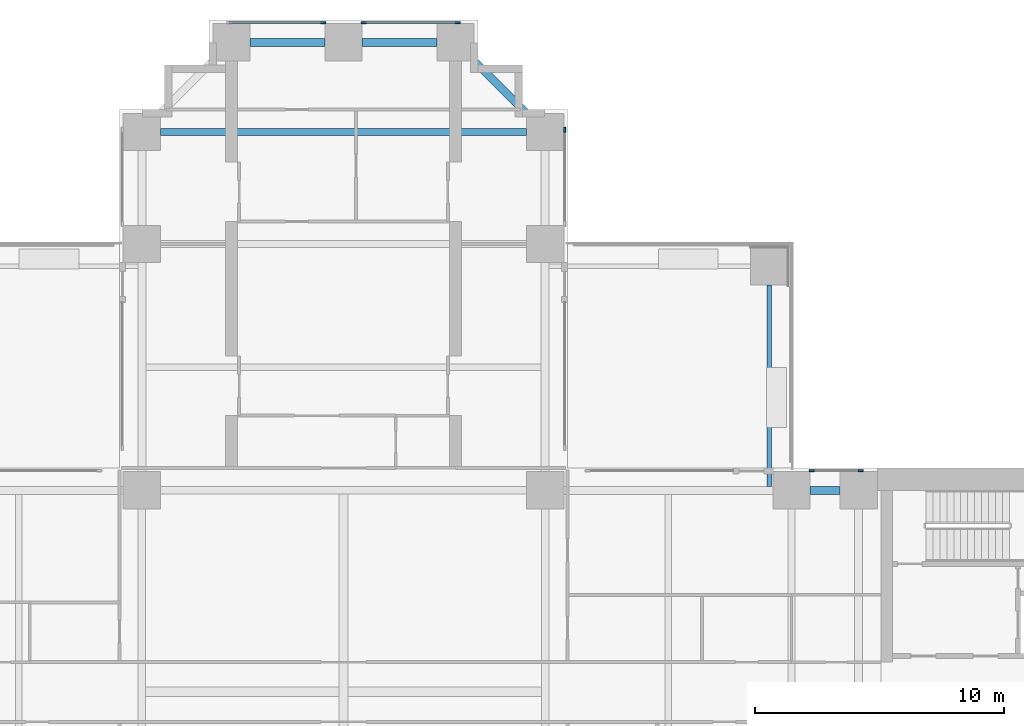
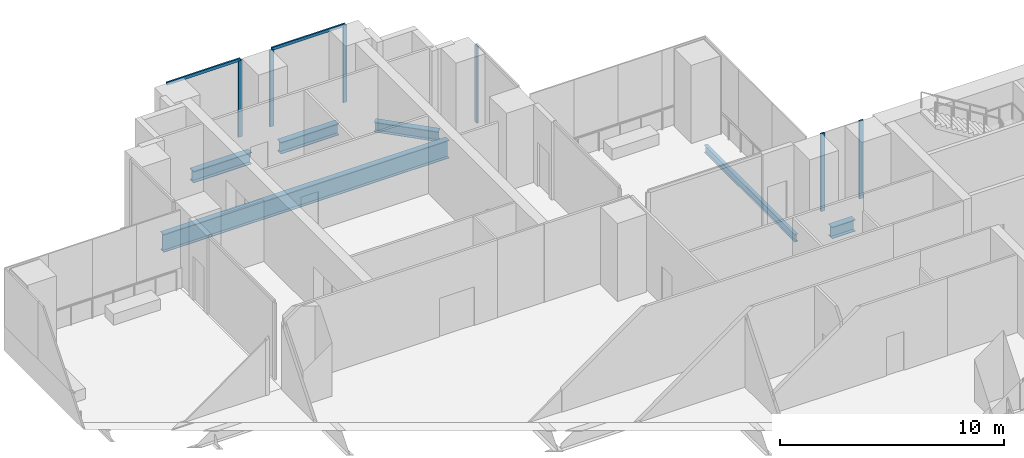
# One storey, part 5 of 15: 8 members, 6 beams, 4 elements without a shape of their own.
"""IFC4 building model written with IfcOpenShell, lengths in metres."""

from ifc_helpers import new_model, si_unit, direction, frame, origin, origin_2d, place, context, subcontext, project, spatial, rectangle, i_section, extrude, material, material_profile, profile_set, type_object, element, aggregate, save


model = new_model("IFC4")

# Units and contexts
model_context = context("Model", 3, precision=1e-05, world=origin(), true_north=direction((0.0, 1.0)))
body_context = subcontext(model_context, "Body", "Model", "MODEL_VIEW")
ifc_project = project(units=[si_unit("LENGTHUNIT", "METRE"), si_unit("AREAUNIT", "SQUARE_METRE"), si_unit("VOLUMEUNIT", "CUBIC_METRE"), si_unit("PLANEANGLEUNIT", "RADIAN"), si_unit("MASSUNIT", "GRAM", prefix="KILO")], contexts=[model_context])

# Site, building, storey
site_placement = place(None, origin())
site = spatial("IfcSite", under=ifc_project, at=site_placement, CompositionType="ELEMENT")
building_placement = place(site_placement, origin())
building = spatial("IfcBuilding", under=site, at=building_placement, Name="Perihelion Cross Residences", CompositionType="ELEMENT")
storey_placement = place(building_placement, frame((0.0, 0.0, 32.0)))
storey = spatial("IfcBuildingStorey", under=building, at=storey_placement, Name="L04", CompositionType="ELEMENT", Elevation=32.0)

# Curtain wall, members
ifc_material_1 = material(Name="Bronze anodised aluminium, tinted glazing", Category="aluminium")
curtain_wall_type = type_object("IfcCurtainWallType", Name="CW2", PredefinedType="NOTDEFINED", material=ifc_material_1)
curtain_wall_1_placement = place(storey_placement, origin())
curtain_wall_1 = element("IfcCurtainWall", 1, at=curtain_wall_1_placement, inside=storey, type_object=curtain_wall_type, Name="Curtain wall CW2 L04 east side north bay 1", PredefinedType="NOTDEFINED")
ifc_material_2 = material(Name="Bronze anodised aluminium", Category="aluminium")
ifc_material_profile_1 = material_profile(ifc_material_2, rectangle(XDim=0.080078125, YDim=0.199951171875, at=origin_2d()), Name="CW2 mullion")
ifc_profile_set_1 = profile_set([ifc_material_profile_1], Name="Bronze anodised aluminium")
member_type_1 = type_object("IfcMemberType", Name="CW2 mullion", PredefinedType="MULLION", material=ifc_profile_set_1)
member_1_placement = place(storey_placement, frame((20.7900390625, 8.889892578125, 0.0), z_axis=(0.0, 0.0, 1.0), x_axis=(0.0, -1.0, 0.0)))
member_1 = element("IfcMember", 2, at=member_1_placement, type_object=member_type_1, Name="CW2 mullion 1", PredefinedType="MULLION", context=body_context, shape_type="SweptSolid", body=[
    extrude(rectangle(XDim=0.080078125, YDim=0.199951171875, at=origin_2d()), origin(), (0.0, 0.0, 1.0), 4.25),
])
member_2_placement = place(storey_placement, frame((18.81005859375, 8.889892578125, 0.0), z_axis=(0.0, 0.0, 1.0), x_axis=(0.0, -1.0, 0.0)))
member_2 = element("IfcMember", 3, at=member_2_placement, type_object=member_type_1, Name="CW2 mullion 2", PredefinedType="MULLION", context=body_context, shape_type="SweptSolid", body=[
    extrude(rectangle(XDim=0.080078125, YDim=0.199951171875, at=origin_2d()), origin(), (0.0, 0.0, 1.0), 4.25),
])
aggregate(curtain_wall_1, [member_1, member_2])

# Curtain wall, member
curtain_wall_2_placement = place(storey_placement, origin())
curtain_wall_2 = element("IfcCurtainWall", 4, at=curtain_wall_2_placement, inside=storey, type_object=curtain_wall_type, Name="Curtain wall CW2 L04 north side east bay 2", PredefinedType="NOTDEFINED")
member_3_placement = place(storey_placement, frame((8.889892578125, 22.590087890625, 0.0), z_axis=(0.0, 0.0, 1.0), x_axis=(-1.0, 0.0, 0.0)))
member_3 = element("IfcMember", 5, at=member_3_placement, type_object=member_type_1, Name="CW2 mullion 2", PredefinedType="MULLION", context=body_context, shape_type="SweptSolid", body=[
    extrude(rectangle(XDim=0.080078125, YDim=0.199951171875, at=origin_2d()), origin(), (0.0, 0.0, 1.0), 4.169921875),
])
aggregate(curtain_wall_2, [member_3])

# Curtain wall, members
curtain_wall_3_placement = place(storey_placement, origin())
curtain_wall_3 = element("IfcCurtainWall", 6, at=curtain_wall_3_placement, inside=storey, type_object=curtain_wall_type, Name="Curtain wall CW2 L04 north tip north bay 1", PredefinedType="NOTDEFINED")
member_4_placement = place(storey_placement, frame((4.590087890625, 26.889892578125, 0.0), z_axis=(0.0, 0.0, 1.0), x_axis=(0.0, -1.0, 0.0)))
member_4 = element("IfcMember", 7, at=member_4_placement, type_object=member_type_1, Name="CW2 mullion 1", PredefinedType="MULLION", context=body_context, shape_type="SweptSolid", body=[
    extrude(rectangle(XDim=0.080078125, YDim=0.199951171875, at=origin_2d()), origin(), (0.0, 0.0, 1.0), 4.169921875),
])
member_5_placement = place(storey_placement, frame((0.81005859375, 26.889892578125, 0.0), z_axis=(0.0, 0.0, 1.0), x_axis=(0.0, -1.0, 0.0)))
member_5 = element("IfcMember", 8, at=member_5_placement, type_object=member_type_1, Name="CW2 mullion 2", PredefinedType="MULLION", context=body_context, shape_type="SweptSolid", body=[
    extrude(rectangle(XDim=0.080078125, YDim=0.199951171875, at=origin_2d()), origin(), (0.0, 0.0, 1.0), 4.169921875),
])

# Curtain wall, member
curtain_wall_4_placement = place(storey_placement, origin())
curtain_wall_4 = element("IfcCurtainWall", 9, at=curtain_wall_4_placement, inside=storey, type_object=curtain_wall_type, Name="Curtain wall CW2 L04 north tip north bay 2", PredefinedType="NOTDEFINED")
member_6_placement = place(storey_placement, frame((-0.81005859375, 26.889892578125, 0.0), z_axis=(0.0, 0.0, 1.0), x_axis=(0.0, -1.0, 0.0)))
member_6 = element("IfcMember", 10, at=member_6_placement, type_object=member_type_1, Name="CW2 mullion 1", PredefinedType="MULLION", context=body_context, shape_type="SweptSolid", body=[
    extrude(rectangle(XDim=0.080078125, YDim=0.199951171875, at=origin_2d()), origin(), (0.0, 0.0, 1.0), 4.169921875),
])

# Member
ifc_material_3 = material(Name="Bronze anodised aluminium", Category="aluminium")
ifc_material_profile_2 = material_profile(ifc_material_3, rectangle(XDim=0.080078125, YDim=0.159912109375, at=origin_2d()), Name="CW2 transom")
ifc_profile_set_2 = profile_set([ifc_material_profile_2], Name="Bronze anodised aluminium")
member_type_2 = type_object("IfcMemberType", Name="CW2 transom", PredefinedType="USERDEFINED", material=ifc_profile_set_2)
member_7_placement = place(storey_placement, frame((4.590087890625, 26.889892578125, 4.2099609375), z_axis=(-1.0, 0.0, 0.0), x_axis=(0.0, -1.0, 0.0)))
member_7 = element("IfcMember", 11, at=member_7_placement, type_object=member_type_2, Name="CW2 head transom", ObjectType="TRANSOM", PredefinedType="USERDEFINED", context=body_context, shape_type="SweptSolid", body=[
    extrude(rectangle(XDim=0.080078125, YDim=0.159912109375, at=origin_2d()), origin(), (0.0, 0.0, 1.0), 3.780029296875),
])

aggregate(curtain_wall_3, [member_4, member_5, member_7])

member_8_placement = place(storey_placement, frame((-0.81005859375, 26.889892578125, 4.2099609375), z_axis=(-1.0, 0.0, 0.0), x_axis=(0.0, -1.0, 0.0)))
member_8 = element("IfcMember", 12, at=member_8_placement, type_object=member_type_2, Name="CW2 head transom", ObjectType="TRANSOM", PredefinedType="USERDEFINED", context=body_context, shape_type="SweptSolid", body=[
    extrude(rectangle(XDim=0.080078125, YDim=0.159912109375, at=origin_2d()), origin(), (0.0, 0.0, 1.0), 3.780029296875),
])

aggregate(curtain_wall_4, [member_6, member_8])

# Beams
ifc_material_4 = material(Name="Steel S355", Category="steel")
ifc_material_profile_3 = material_profile(ifc_material_4, i_section(OverallWidth=0.177978515625, OverallDepth=0.406005859375, WebThickness=0.0078125, FlangeThickness=0.0126953125, at=origin_2d()), Name="W410x60")
ifc_profile_set_3 = profile_set([ifc_material_profile_3], Name="Steel S355")
beam_type_1 = type_object("IfcBeamType", Name="Core edge beam W410x60", PredefinedType="BEAM", material=ifc_profile_set_3)
beam_1_placement = place(storey_placement, frame((17.10009765625, 8.264892578125, -0.5029296875), z_axis=(0.0, 1.0, 0.0), x_axis=(-1.0, 0.0, 0.0)))
element("IfcBeam", 13, at=beam_1_placement, inside=storey, type_object=beam_type_1, Name="Core edge beam TB2 L04 corner no. 7", PredefinedType="BEAM", context=body_context, shape_type="SweptSolid", body=[
    extrude(i_section(OverallWidth=0.177978515625, OverallDepth=0.406005859375, WebThickness=0.0078125, FlangeThickness=0.0126953125, at=origin_2d()), origin(), (0.0, 0.0, 1.0), 8.085205078125),
])
ifc_material_5 = material(Name="Steel S355", Category="steel")
ifc_material_profile_4 = material_profile(ifc_material_5, i_section(OverallWidth=0.330078125, OverallDepth=0.635009765625, WebThickness=0.017822265625, FlangeThickness=0.031005859375, at=origin_2d()), Name="W610x241")
ifc_profile_set_4 = profile_set([ifc_material_profile_4], Name="Steel S355")
beam_type_2 = type_object("IfcBeamType", Name="Edge beam W610x241", PredefinedType="SPANDREL", material=ifc_profile_set_4)
beam_2_placement = place(storey_placement, frame((19.949951171875, 8.10009765625, -0.617431640625), z_axis=(-1.0, 0.0, 0.0), x_axis=(0.0, -1.0, 0.0)))
element("IfcBeam", 14, at=beam_2_placement, inside=storey, type_object=beam_type_2, Name="Edge beam SB1 L04 no. 14", PredefinedType="SPANDREL", context=body_context, shape_type="SweptSolid", body=[
    extrude(i_section(OverallWidth=0.330078125, OverallDepth=0.635009765625, WebThickness=0.017822265625, FlangeThickness=0.031005859375, at=origin_2d()), origin(), (0.0, 0.0, 1.0), 1.199951171875),
])
for number, where, z_axis, x_axis, name in (
    (15, (3.75, 26.10009765625, -0.617431640625), (-1.0, 0.0, 0.0), (0.0, -1.0, 0.0), "Edge beam SB1 L04 no. 15"),
    (16, (-0.75, 26.10009765625, -0.617431640625), (-1.0, 0.0, 0.0), (0.0, -1.0, 0.0), "Edge beam SB1 L04 no. 11"),
):
    element("IfcBeam", number, at=place(storey_placement, frame(where, z_axis=z_axis, x_axis=x_axis)), inside=storey, type_object=beam_type_2, Name=name, PredefinedType="SPANDREL", context=body_context, shape_type="SweptSolid", body=[
        extrude(i_section(OverallWidth=0.330078125, OverallDepth=0.635009765625, WebThickness=0.017822265625, FlangeThickness=0.031005859375, at=origin_2d()), origin(), (0.0, 0.0, 1.0), 3.0),
    ])
ifc_material_6 = material(Name="Steel S355", Category="steel")
ifc_material_profile_5 = material_profile(ifc_material_6, i_section(OverallWidth=0.300048828125, OverallDepth=0.97998046875, WebThickness=0.0166015625, FlangeThickness=0.026123046875, at=origin_2d()), Name="W1000x249")
ifc_profile_set_5 = profile_set([ifc_material_profile_5], Name="Steel S355")
beam_type_3 = type_object("IfcBeamType", Name="Floor girder W1000x249", PredefinedType="BEAM", material=ifc_profile_set_5)
beam_3_placement = place(storey_placement, frame((-7.35009765625, 22.5, -0.7900390625), z_axis=(1.0, 0.0, 0.0), x_axis=(0.0, 1.0, 0.0)))
element("IfcBeam", 17, at=beam_3_placement, inside=storey, type_object=beam_type_3, Name="Girder G1 L04 no. 6", PredefinedType="BEAM", context=body_context, shape_type="SweptSolid", body=[
    extrude(i_section(OverallWidth=0.300048828125, OverallDepth=0.97998046875, WebThickness=0.0166015625, FlangeThickness=0.026123046875, at=origin_2d()), origin(), (0.0, 0.0, 1.0), 14.7001953125),
])
ifc_material_7 = material(Name="Steel S355", Category="steel")
ifc_material_profile_6 = material_profile(ifc_material_7, i_section(OverallWidth=0.31201171875, OverallDepth=0.5439453125, WebThickness=0.0126953125, FlangeThickness=0.020263671875, at=origin_2d()), Name="W530x150")
ifc_profile_set_6 = profile_set([ifc_material_profile_6], Name="Steel S355")
beam_type_4 = type_object("IfcBeamType", Name="Serration edge beam W530x150", PredefinedType="BEAM", material=ifc_profile_set_6)
beam_4_placement = place(storey_placement, frame((7.35009765625, 23.25, -0.572021484375), z_axis=(-0.707106781187, 0.707106781187, 0.0), x_axis=(-0.707106781187, -0.707106781187, 0.0)))
element("IfcBeam", 18, at=beam_4_placement, inside=storey, type_object=beam_type_4, Name="Serration edge beam EB1 L04 no. 4", PredefinedType="BEAM", context=body_context, shape_type="SweptSolid", body=[
    extrude(i_section(OverallWidth=0.31201171875, OverallDepth=0.5439453125, WebThickness=0.0126953125, FlangeThickness=0.020263671875, at=origin_2d()), origin(), (0.0, 0.0, 1.0), 2.969970703125),
])

save(model, "model.ifc")
